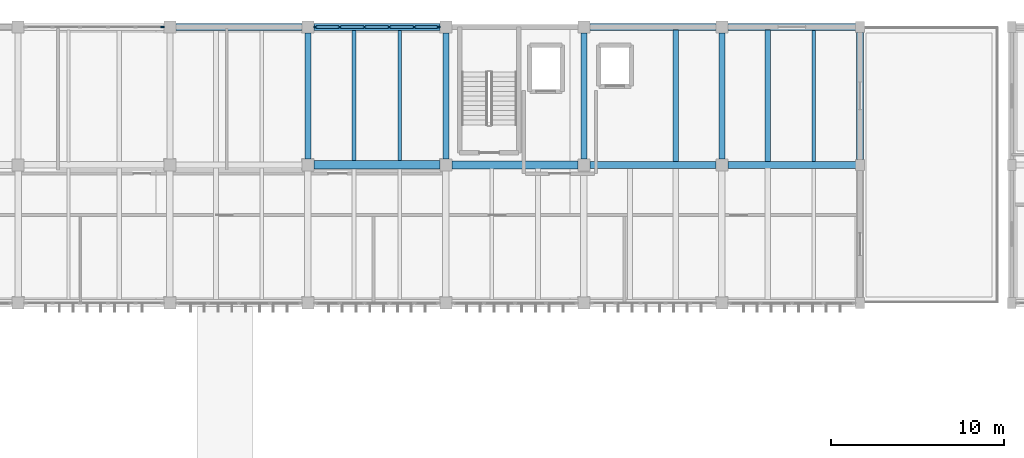
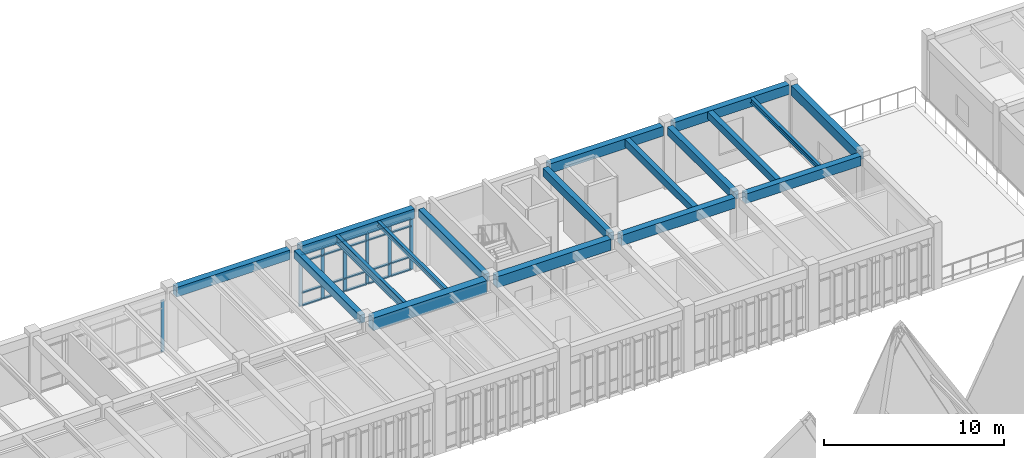
# One storey, part 25 of 72: 27 members, 18 beams, 2 elements without a shape of their own.
"""IFC4 building model written with IfcOpenShell, lengths in metres."""

from ifc_helpers import new_model, si_unit, direction, frame, origin, origin_2d, place, context, subcontext, project, spatial, rectangle, i_section, extrude, material, material_profile, profile_set, type_object, element, aggregate, save


model = new_model("IFC4")

# Units and contexts
model_context = context("Model", 3, precision=1e-05, world=origin(), true_north=direction((0.0, 1.0)))
body_context = subcontext(model_context, "Body", "Model", "MODEL_VIEW")
ifc_project = project(units=[si_unit("LENGTHUNIT", "METRE"), si_unit("AREAUNIT", "SQUARE_METRE"), si_unit("VOLUMEUNIT", "CUBIC_METRE"), si_unit("PLANEANGLEUNIT", "RADIAN"), si_unit("MASSUNIT", "GRAM", prefix="KILO")], contexts=[model_context])

# Site, building, storey
site_placement = place(None, origin())
site = spatial("IfcSite", under=ifc_project, at=site_placement, CompositionType="ELEMENT")
building_placement = place(site_placement, origin())
building = spatial("IfcBuilding", under=site, at=building_placement, Name="Tlaxcora Railside Police Headquarters", CompositionType="ELEMENT")
storey_placement = place(building_placement, frame((0.0, 0.0, 13.5)))
storey = spatial("IfcBuildingStorey", under=building, at=storey_placement, Name="L03", CompositionType="ELEMENT", Elevation=13.5)

# Curtain wall, members
ifc_material_1 = material(Name="Thermally broken low-E insulated glazing", Category="glass")
curtain_wall_type_1 = type_object("IfcCurtainWallType", Name="Unitised Curtain Wall Assembly CW-23", PredefinedType="NOTDEFINED", material=ifc_material_1)
curtain_wall_1_placement = place(storey_placement, origin())
curtain_wall_1 = element("IfcCurtainWall", 1, at=curtain_wall_1_placement, inside=storey, type_object=curtain_wall_type_1, Name="V5 L03 curtain wall 80", PredefinedType="NOTDEFINED")
ifc_material_2 = material(Name="Anodised aluminium framing", Category="aluminium")
ifc_material_profile_1 = material_profile(ifc_material_2, rectangle(XDim=0.080078125, YDim=0.219970703125, at=origin_2d()), Name="AL80X220")
ifc_profile_set_1 = profile_set([ifc_material_profile_1], Name="Anodised aluminium framing")
member_type_1 = type_object("IfcMemberType", Name="Curtain Wall Mullion CW-31", PredefinedType="MULLION", material=ifc_profile_set_1)
member_1_placement = place(storey_placement, frame((69.56005859375, 92.800048828125, 0.0), z_axis=(0.0, 0.0, 1.0), x_axis=(0.0, -1.0, 0.0)))
member_1 = element("IfcMember", 2, at=member_1_placement, type_object=member_type_1, Name="CW mullion 1", PredefinedType="MULLION", context=body_context, shape_type="SweptSolid", body=[
    extrude(rectangle(XDim=0.080078125, YDim=0.219970703125, at=origin_2d()), origin(), (0.0, 0.0, 1.0), 3.52001953125),
])
member_2_placement = place(storey_placement, frame((68.159912109375, 92.800048828125, 0.0), z_axis=(0.0, 0.0, 1.0), x_axis=(0.0, -1.0, 0.0)))
member_2 = element("IfcMember", 3, at=member_2_placement, type_object=member_type_1, Name="CW mullion 2", PredefinedType="MULLION", context=body_context, shape_type="SweptSolid", body=[
    extrude(rectangle(XDim=0.080078125, YDim=0.219970703125, at=origin_2d()), origin(), (0.0, 0.0, 1.0), 3.52001953125),
])
member_3_placement = place(storey_placement, frame((66.719970703125, 92.800048828125, 0.0), z_axis=(0.0, 0.0, 1.0), x_axis=(0.0, -1.0, 0.0)))
member_3 = element("IfcMember", 4, at=member_3_placement, type_object=member_type_1, Name="CW mullion 3", PredefinedType="MULLION", context=body_context, shape_type="SweptSolid", body=[
    extrude(rectangle(XDim=0.080078125, YDim=0.219970703125, at=origin_2d()), origin(), (0.0, 0.0, 1.0), 3.52001953125),
])
member_4_placement = place(storey_placement, frame((65.280029296875, 92.800048828125, 0.0), z_axis=(0.0, 0.0, 1.0), x_axis=(0.0, -1.0, 0.0)))
member_4 = element("IfcMember", 5, at=member_4_placement, type_object=member_type_1, Name="CW mullion 4", PredefinedType="MULLION", context=body_context, shape_type="SweptSolid", body=[
    extrude(rectangle(XDim=0.080078125, YDim=0.219970703125, at=origin_2d()), origin(), (0.0, 0.0, 1.0), 3.52001953125),
])
member_5_placement = place(storey_placement, frame((63.840087890625, 92.800048828125, 0.0), z_axis=(0.0, 0.0, 1.0), x_axis=(0.0, -1.0, 0.0)))
member_5 = element("IfcMember", 6, at=member_5_placement, type_object=member_type_1, Name="CW mullion 5", PredefinedType="MULLION", context=body_context, shape_type="SweptSolid", body=[
    extrude(rectangle(XDim=0.080078125, YDim=0.219970703125, at=origin_2d()), origin(), (0.0, 0.0, 1.0), 3.52001953125),
])
member_6_placement = place(storey_placement, frame((62.43994140625, 92.800048828125, 0.0), z_axis=(0.0, 0.0, 1.0), x_axis=(0.0, -1.0, 0.0)))
member_6 = element("IfcMember", 7, at=member_6_placement, type_object=member_type_1, Name="CW mullion 6", PredefinedType="MULLION", context=body_context, shape_type="SweptSolid", body=[
    extrude(rectangle(XDim=0.080078125, YDim=0.219970703125, at=origin_2d()), origin(), (0.0, 0.0, 1.0), 3.52001953125),
])

# Curtain wall, member
curtain_wall_type_2 = type_object("IfcCurtainWallType", Name="Unitised Curtain Wall Assembly CW-38", PredefinedType="NOTDEFINED", material=ifc_material_1)
curtain_wall_2_placement = place(storey_placement, origin())
curtain_wall_2 = element("IfcCurtainWall", 8, at=curtain_wall_2_placement, inside=storey, type_object=curtain_wall_type_2, Name="V5 L03 curtain wall 81", PredefinedType="NOTDEFINED")
ifc_material_profile_2 = material_profile(ifc_material_2, rectangle(XDim=0.074951171875, YDim=0.205078125, at=origin_2d()), Name="AL75X205")
ifc_profile_set_2 = profile_set([ifc_material_profile_2], Name="Anodised aluminium framing")
member_type_2 = type_object("IfcMemberType", Name="Curtain Wall Mullion CW-32", PredefinedType="MULLION", material=ifc_profile_set_2)
member_7_placement = place(storey_placement, frame((53.5625, 92.800048828125, 0.0), z_axis=(0.0, 0.0, 1.0), x_axis=(0.0, -1.0, 0.0)))
member_7 = element("IfcMember", 9, at=member_7_placement, type_object=member_type_2, Name="CW mullion 1", PredefinedType="MULLION", context=body_context, shape_type="SweptSolid", body=[
    extrude(rectangle(XDim=0.074951171875, YDim=0.205078125, at=origin_2d()), origin(), (0.0, 0.0, 1.0), 3.52001953125),
])
aggregate(curtain_wall_2, [member_7])

# Member
ifc_material_profile_3 = material_profile(ifc_material_2, rectangle(XDim=0.1650390625, YDim=0.080078125, at=origin_2d()), Name="AL80X165")
ifc_profile_set_3 = profile_set([ifc_material_profile_3], Name="Anodised aluminium framing")
member_type_3 = type_object("IfcMemberType", Name="Curtain Wall Transom CW-62", PredefinedType="USERDEFINED", material=ifc_profile_set_3)
member_8_placement = place(storey_placement, frame((69.52001953125, 92.800048828125, 0.0400390625), z_axis=(-1.0, 0.0, 0.0), x_axis=(0.0, -1.0, 0.0)))
member_8 = element("IfcMember", 10, at=member_8_placement, type_object=member_type_3, Name="CW transom 1.1", ObjectType="TRANSOM", PredefinedType="USERDEFINED", context=body_context, shape_type="SweptSolid", body=[
    extrude(rectangle(XDim=0.1650390625, YDim=0.080078125, at=origin_2d()), origin(), (0.0, 0.0, 1.0), 1.320068359375),
])

member_9_placement = place(storey_placement, frame((69.52001953125, 92.800048828125, 0.89990234375), z_axis=(-1.0, 0.0, 0.0), x_axis=(0.0, -1.0, 0.0)))
member_9 = element("IfcMember", 11, at=member_9_placement, type_object=member_type_3, Name="CW transom 1.2", ObjectType="TRANSOM", PredefinedType="USERDEFINED", context=body_context, shape_type="SweptSolid", body=[
    extrude(rectangle(XDim=0.1650390625, YDim=0.080078125, at=origin_2d()), origin(), (0.0, 0.0, 1.0), 1.320068359375),
])

member_10_placement = place(storey_placement, frame((69.52001953125, 92.800048828125, 2.989990234375), z_axis=(-1.0, 0.0, 0.0), x_axis=(0.0, -1.0, 0.0)))
member_10 = element("IfcMember", 12, at=member_10_placement, type_object=member_type_3, Name="CW transom 1.3", ObjectType="TRANSOM", PredefinedType="USERDEFINED", context=body_context, shape_type="SweptSolid", body=[
    extrude(rectangle(XDim=0.1650390625, YDim=0.080078125, at=origin_2d()), origin(), (0.0, 0.0, 1.0), 1.320068359375),
])

member_11_placement = place(storey_placement, frame((69.52001953125, 92.800048828125, 3.47998046875), z_axis=(-1.0, 0.0, 0.0), x_axis=(0.0, -1.0, 0.0)))
member_11 = element("IfcMember", 13, at=member_11_placement, type_object=member_type_3, Name="CW transom 1.4", ObjectType="TRANSOM", PredefinedType="USERDEFINED", context=body_context, shape_type="SweptSolid", body=[
    extrude(rectangle(XDim=0.1650390625, YDim=0.080078125, at=origin_2d()), origin(), (0.0, 0.0, 1.0), 1.320068359375),
])

member_12_placement = place(storey_placement, frame((68.1201171875, 92.800048828125, 0.0400390625), z_axis=(-1.0, 0.0, 0.0), x_axis=(0.0, -1.0, 0.0)))
member_12 = element("IfcMember", 14, at=member_12_placement, type_object=member_type_3, Name="CW transom 2.1", ObjectType="TRANSOM", PredefinedType="USERDEFINED", context=body_context, shape_type="SweptSolid", body=[
    extrude(rectangle(XDim=0.1650390625, YDim=0.080078125, at=origin_2d()), origin(), (0.0, 0.0, 1.0), 1.360107421875),
])

member_13_placement = place(storey_placement, frame((68.1201171875, 92.800048828125, 0.89990234375), z_axis=(-1.0, 0.0, 0.0), x_axis=(0.0, -1.0, 0.0)))
member_13 = element("IfcMember", 15, at=member_13_placement, type_object=member_type_3, Name="CW transom 2.2", ObjectType="TRANSOM", PredefinedType="USERDEFINED", context=body_context, shape_type="SweptSolid", body=[
    extrude(rectangle(XDim=0.1650390625, YDim=0.080078125, at=origin_2d()), origin(), (0.0, 0.0, 1.0), 1.360107421875),
])

member_14_placement = place(storey_placement, frame((68.1201171875, 92.800048828125, 2.989990234375), z_axis=(-1.0, 0.0, 0.0), x_axis=(0.0, -1.0, 0.0)))
member_14 = element("IfcMember", 16, at=member_14_placement, type_object=member_type_3, Name="CW transom 2.3", ObjectType="TRANSOM", PredefinedType="USERDEFINED", context=body_context, shape_type="SweptSolid", body=[
    extrude(rectangle(XDim=0.1650390625, YDim=0.080078125, at=origin_2d()), origin(), (0.0, 0.0, 1.0), 1.360107421875),
])

member_15_placement = place(storey_placement, frame((68.1201171875, 92.800048828125, 3.47998046875), z_axis=(-1.0, 0.0, 0.0), x_axis=(0.0, -1.0, 0.0)))
member_15 = element("IfcMember", 17, at=member_15_placement, type_object=member_type_3, Name="CW transom 2.4", ObjectType="TRANSOM", PredefinedType="USERDEFINED", context=body_context, shape_type="SweptSolid", body=[
    extrude(rectangle(XDim=0.1650390625, YDim=0.080078125, at=origin_2d()), origin(), (0.0, 0.0, 1.0), 1.360107421875),
])

member_16_placement = place(storey_placement, frame((66.679931640625, 92.800048828125, 0.0400390625), z_axis=(-1.0, 0.0, 0.0), x_axis=(0.0, -1.0, 0.0)))
member_16 = element("IfcMember", 18, at=member_16_placement, type_object=member_type_3, Name="CW transom 3.1", ObjectType="TRANSOM", PredefinedType="USERDEFINED", context=body_context, shape_type="SweptSolid", body=[
    extrude(rectangle(XDim=0.1650390625, YDim=0.080078125, at=origin_2d()), origin(), (0.0, 0.0, 1.0), 1.35986328125),
])

member_17_placement = place(storey_placement, frame((66.679931640625, 92.800048828125, 0.89990234375), z_axis=(-1.0, 0.0, 0.0), x_axis=(0.0, -1.0, 0.0)))
member_17 = element("IfcMember", 19, at=member_17_placement, type_object=member_type_3, Name="CW transom 3.2", ObjectType="TRANSOM", PredefinedType="USERDEFINED", context=body_context, shape_type="SweptSolid", body=[
    extrude(rectangle(XDim=0.1650390625, YDim=0.080078125, at=origin_2d()), origin(), (0.0, 0.0, 1.0), 1.35986328125),
])

member_18_placement = place(storey_placement, frame((66.679931640625, 92.800048828125, 2.989990234375), z_axis=(-1.0, 0.0, 0.0), x_axis=(0.0, -1.0, 0.0)))
member_18 = element("IfcMember", 20, at=member_18_placement, type_object=member_type_3, Name="CW transom 3.3", ObjectType="TRANSOM", PredefinedType="USERDEFINED", context=body_context, shape_type="SweptSolid", body=[
    extrude(rectangle(XDim=0.1650390625, YDim=0.080078125, at=origin_2d()), origin(), (0.0, 0.0, 1.0), 1.35986328125),
])

member_19_placement = place(storey_placement, frame((66.679931640625, 92.800048828125, 3.47998046875), z_axis=(-1.0, 0.0, 0.0), x_axis=(0.0, -1.0, 0.0)))
member_19 = element("IfcMember", 21, at=member_19_placement, type_object=member_type_3, Name="CW transom 3.4", ObjectType="TRANSOM", PredefinedType="USERDEFINED", context=body_context, shape_type="SweptSolid", body=[
    extrude(rectangle(XDim=0.1650390625, YDim=0.080078125, at=origin_2d()), origin(), (0.0, 0.0, 1.0), 1.35986328125),
])

member_20_placement = place(storey_placement, frame((65.239990234375, 92.800048828125, 0.0400390625), z_axis=(-1.0, 0.0, 0.0), x_axis=(0.0, -1.0, 0.0)))
member_20 = element("IfcMember", 22, at=member_20_placement, type_object=member_type_3, Name="CW transom 4.1", ObjectType="TRANSOM", PredefinedType="USERDEFINED", context=body_context, shape_type="SweptSolid", body=[
    extrude(rectangle(XDim=0.1650390625, YDim=0.080078125, at=origin_2d()), origin(), (0.0, 0.0, 1.0), 1.360107421875),
])

member_21_placement = place(storey_placement, frame((65.239990234375, 92.800048828125, 0.89990234375), z_axis=(-1.0, 0.0, 0.0), x_axis=(0.0, -1.0, 0.0)))
member_21 = element("IfcMember", 23, at=member_21_placement, type_object=member_type_3, Name="CW transom 4.2", ObjectType="TRANSOM", PredefinedType="USERDEFINED", context=body_context, shape_type="SweptSolid", body=[
    extrude(rectangle(XDim=0.1650390625, YDim=0.080078125, at=origin_2d()), origin(), (0.0, 0.0, 1.0), 1.360107421875),
])

member_22_placement = place(storey_placement, frame((65.239990234375, 92.800048828125, 2.989990234375), z_axis=(-1.0, 0.0, 0.0), x_axis=(0.0, -1.0, 0.0)))
member_22 = element("IfcMember", 24, at=member_22_placement, type_object=member_type_3, Name="CW transom 4.3", ObjectType="TRANSOM", PredefinedType="USERDEFINED", context=body_context, shape_type="SweptSolid", body=[
    extrude(rectangle(XDim=0.1650390625, YDim=0.080078125, at=origin_2d()), origin(), (0.0, 0.0, 1.0), 1.360107421875),
])

member_23_placement = place(storey_placement, frame((65.239990234375, 92.800048828125, 3.47998046875), z_axis=(-1.0, 0.0, 0.0), x_axis=(0.0, -1.0, 0.0)))
member_23 = element("IfcMember", 25, at=member_23_placement, type_object=member_type_3, Name="CW transom 4.4", ObjectType="TRANSOM", PredefinedType="USERDEFINED", context=body_context, shape_type="SweptSolid", body=[
    extrude(rectangle(XDim=0.1650390625, YDim=0.080078125, at=origin_2d()), origin(), (0.0, 0.0, 1.0), 1.360107421875),
])

member_24_placement = place(storey_placement, frame((63.800048828125, 92.800048828125, 0.0400390625), z_axis=(-1.0, 0.0, 0.0), x_axis=(0.0, -1.0, 0.0)))
member_24 = element("IfcMember", 26, at=member_24_placement, type_object=member_type_3, Name="CW transom 5.1", ObjectType="TRANSOM", PredefinedType="USERDEFINED", context=body_context, shape_type="SweptSolid", body=[
    extrude(rectangle(XDim=0.1650390625, YDim=0.080078125, at=origin_2d()), origin(), (0.0, 0.0, 1.0), 1.320068359375),
])

member_25_placement = place(storey_placement, frame((63.800048828125, 92.800048828125, 0.89990234375), z_axis=(-1.0, 0.0, 0.0), x_axis=(0.0, -1.0, 0.0)))
member_25 = element("IfcMember", 27, at=member_25_placement, type_object=member_type_3, Name="CW transom 5.2", ObjectType="TRANSOM", PredefinedType="USERDEFINED", context=body_context, shape_type="SweptSolid", body=[
    extrude(rectangle(XDim=0.1650390625, YDim=0.080078125, at=origin_2d()), origin(), (0.0, 0.0, 1.0), 1.320068359375),
])

member_26_placement = place(storey_placement, frame((63.800048828125, 92.800048828125, 2.989990234375), z_axis=(-1.0, 0.0, 0.0), x_axis=(0.0, -1.0, 0.0)))
member_26 = element("IfcMember", 28, at=member_26_placement, type_object=member_type_3, Name="CW transom 5.3", ObjectType="TRANSOM", PredefinedType="USERDEFINED", context=body_context, shape_type="SweptSolid", body=[
    extrude(rectangle(XDim=0.1650390625, YDim=0.080078125, at=origin_2d()), origin(), (0.0, 0.0, 1.0), 1.320068359375),
])

member_27_placement = place(storey_placement, frame((63.800048828125, 92.800048828125, 3.47998046875), z_axis=(-1.0, 0.0, 0.0), x_axis=(0.0, -1.0, 0.0)))
member_27 = element("IfcMember", 29, at=member_27_placement, type_object=member_type_3, Name="CW transom 5.4", ObjectType="TRANSOM", PredefinedType="USERDEFINED", context=body_context, shape_type="SweptSolid", body=[
    extrude(rectangle(XDim=0.1650390625, YDim=0.080078125, at=origin_2d()), origin(), (0.0, 0.0, 1.0), 1.320068359375),
])

aggregate(curtain_wall_1, [member_1, member_2, member_3, member_4, member_5, member_6, member_8, member_9, member_10, member_11, member_12, member_13, member_14, member_15, member_16, member_17, member_18, member_19, member_20, member_21, member_22, member_23, member_24, member_25, member_26, member_27])

# Beams
ifc_material_3 = material(Name="Concrete C40/50", Category="concrete")
ifc_material_profile_4 = material_profile(ifc_material_3, rectangle(XDim=0.39990234375, YDim=0.64990234375, at=origin_2d()), Name="RC400X650")
ifc_profile_set_4 = profile_set([ifc_material_profile_4], Name="Concrete C40/50")
beam_type_1 = type_object("IfcBeamType", Name="Perimeter Spandrel Beam BM-46", PredefinedType="SPANDREL", material=ifc_profile_set_4)
for number, where, z_axis, x_axis, name in (
    (30, (54.340087890625, 92.800048828125, 3.864990234375), (1.0, 0.0, 0.0), (0.0, 1.0, 0.0), "V5 L03 X-girder Y=92.8"),
    (31, (62.340087890625, 92.800048828125, 3.864990234375), (1.0, 0.0, 0.0), (0.0, 1.0, 0.0), "V5 L03 X-girder Y=92.8"),
    (32, (78.340087890625, 92.800048828125, 3.864990234375), (1.0, 0.0, 0.0), (0.0, 1.0, 0.0), "V5 L03 X-girder Y=92.8"),
):
    element("IfcBeam", number, at=place(storey_placement, frame(where, z_axis=z_axis, x_axis=x_axis)), inside=storey, type_object=beam_type_1, Name=name, PredefinedType="SPANDREL", context=body_context, shape_type="SweptSolid", body=[
        extrude(rectangle(XDim=0.39990234375, YDim=0.64990234375, at=origin_2d()), origin(), (0.0, 0.0, 1.0), 7.31982421875),
    ])
beam_1_placement = place(storey_placement, frame((86.340087890625, 92.800048828125, 3.864990234375), z_axis=(1.0, 0.0, 0.0), x_axis=(0.0, 1.0, 0.0)))
element("IfcBeam", 33, at=beam_1_placement, inside=storey, type_object=beam_type_1, Name="V5 L03 X-girder Y=92.8", PredefinedType="SPANDREL", context=body_context, shape_type="SweptSolid", body=[
    extrude(rectangle(XDim=0.39990234375, YDim=0.64990234375, at=origin_2d()), origin(), (0.0, 0.0, 1.0), 7.419921875),
])
beam_2_placement = place(storey_placement, frame((94.0, 85.114990234375, 3.864990234375), z_axis=(0.0, 1.0, 0.0), x_axis=(-1.0, 0.0, 0.0)))
element("IfcBeam", 34, at=beam_2_placement, inside=storey, type_object=beam_type_1, Name="V5 L03 Y-girder X=94.0", PredefinedType="SPANDREL", context=body_context, shape_type="SweptSolid", body=[
    extrude(rectangle(XDim=0.39990234375, YDim=0.64990234375, at=origin_2d()), origin(), (0.0, 0.0, 1.0), 7.3701171875),
])
ifc_material_profile_5 = material_profile(ifc_material_3, rectangle(XDim=0.419921875, YDim=0.699951171875, at=origin_2d()), Name="RC420X700")
ifc_profile_set_5 = profile_set([ifc_material_profile_5], Name="Concrete C40/50")
beam_type_2 = type_object("IfcBeamType", Name="Primary Frame Girder BM-35", PredefinedType="BEAM", material=ifc_profile_set_5)
beam_3_placement = place(storey_placement, frame((78.340087890625, 84.800048828125, 3.840087890625), z_axis=(1.0, 0.0, 0.0), x_axis=(0.0, 1.0, 0.0)))
element("IfcBeam", 35, at=beam_3_placement, inside=storey, type_object=beam_type_2, Name="V5 L03 X-girder Y=84.8", PredefinedType="BEAM", context=body_context, shape_type="SweptSolid", body=[
    extrude(rectangle(XDim=0.419921875, YDim=0.699951171875, at=origin_2d()), origin(), (0.0, 0.0, 1.0), 7.31982421875),
])
ifc_material_profile_6 = material_profile(ifc_material_3, rectangle(XDim=0.35009765625, YDim=0.550048828125, at=origin_2d()), Name="RC350X550")
ifc_profile_set_6 = profile_set([ifc_material_profile_6], Name="Concrete C40/50")
beam_type_3 = type_object("IfcBeamType", Name="Primary Frame Girder BM-39", PredefinedType="BEAM", material=ifc_profile_set_6)
for number, where, z_axis, x_axis, name in (
    (36, (62.0, 85.139892578125, 3.9150390625), (0.0, 1.0, 0.0), (-1.0, 0.0, 0.0), "V5 L03 Y-girder X=62.0"),
    (37, (70.0, 85.139892578125, 3.9150390625), (0.0, 1.0, 0.0), (-1.0, 0.0, 0.0), "V5 L03 Y-girder X=70.0"),
    (38, (78.0, 85.139892578125, 3.9150390625), (0.0, 1.0, 0.0), (-1.0, 0.0, 0.0), "V5 L03 Y-girder X=78.0"),
    (39, (86.0, 85.139892578125, 3.9150390625), (0.0, 1.0, 0.0), (-1.0, 0.0, 0.0), "V5 L03 Y-girder X=86.0"),
):
    element("IfcBeam", number, at=place(storey_placement, frame(where, z_axis=z_axis, x_axis=x_axis)), inside=storey, type_object=beam_type_3, Name=name, PredefinedType="BEAM", context=body_context, shape_type="SweptSolid", body=[
        extrude(rectangle(XDim=0.35009765625, YDim=0.550048828125, at=origin_2d()), origin(), (0.0, 0.0, 1.0), 7.320068359375),
    ])
ifc_material_profile_7 = material_profile(ifc_material_3, rectangle(XDim=0.39990234375, YDim=0.64990234375, at=origin_2d()), Name="RC400X650")
ifc_profile_set_7 = profile_set([ifc_material_profile_7], Name="Concrete C40/50")
beam_type_4 = type_object("IfcBeamType", Name="Primary Frame Girder BM-41", PredefinedType="BEAM", material=ifc_profile_set_7)
beam_4_placement = place(storey_placement, frame((86.340087890625, 84.800048828125, 3.864990234375), z_axis=(1.0, 0.0, 0.0), x_axis=(0.0, 1.0, 0.0)))
element("IfcBeam", 40, at=beam_4_placement, inside=storey, type_object=beam_type_4, Name="V5 L03 X-girder Y=84.8", PredefinedType="BEAM", context=body_context, shape_type="SweptSolid", body=[
    extrude(rectangle(XDim=0.39990234375, YDim=0.64990234375, at=origin_2d()), origin(), (0.0, 0.0, 1.0), 7.419921875),
])
ifc_material_profile_8 = material_profile(ifc_material_3, rectangle(XDim=0.5, YDim=0.85009765625, at=origin_2d()), Name="RC500X850")
ifc_profile_set_8 = profile_set([ifc_material_profile_8], Name="Concrete C40/50")
beam_type_5 = type_object("IfcBeamType", Name="Primary Frame Girder BM-64", PredefinedType="BEAM", material=ifc_profile_set_8)
beam_5_placement = place(storey_placement, frame((62.340087890625, 84.800048828125, 3.764892578125), z_axis=(1.0, 0.0, 0.0), x_axis=(0.0, 1.0, 0.0)))
element("IfcBeam", 41, at=beam_5_placement, inside=storey, type_object=beam_type_5, Name="V5 L03 X-girder Y=84.8", PredefinedType="BEAM", context=body_context, shape_type="SweptSolid", body=[
    extrude(rectangle(XDim=0.5, YDim=0.85009765625, at=origin_2d()), origin(), (0.0, 0.0, 1.0), 7.31982421875),
])
ifc_material_profile_9 = material_profile(ifc_material_3, rectangle(XDim=0.449951171875, YDim=0.75, at=origin_2d()), Name="RC450X750")
ifc_profile_set_9 = profile_set([ifc_material_profile_9], Name="Concrete C40/50")
beam_type_6 = type_object("IfcBeamType", Name="Primary Frame Girder BM-73", PredefinedType="BEAM", material=ifc_profile_set_9)
beam_6_placement = place(storey_placement, frame((70.340087890625, 84.800048828125, 3.81494140625), z_axis=(1.0, 0.0, 0.0), x_axis=(0.0, 1.0, 0.0)))
element("IfcBeam", 42, at=beam_6_placement, inside=storey, type_object=beam_type_6, Name="V5 L03 X-girder Y=84.8", PredefinedType="BEAM", context=body_context, shape_type="SweptSolid", body=[
    extrude(rectangle(XDim=0.449951171875, YDim=0.75, at=origin_2d()), origin(), (0.0, 0.0, 1.0), 7.31982421875),
])
ifc_material_4 = material(Name="Steel ASTM A992 Grade 50", Category="steel")
ifc_material_profile_10 = material_profile(ifc_material_4, i_section(OverallWidth=0.2041015625, OverallDepth=0.35009765625, WebThickness=0.008544921875, FlangeThickness=0.01513671875, at=origin_2d()), Name="W14X48")
ifc_profile_set_10 = profile_set([ifc_material_profile_10], Name="Steel ASTM A992 Grade 50")
beam_type_7 = type_object("IfcBeamType", Name="Secondary Floor Joist BM-65", PredefinedType="JOIST", material=ifc_profile_set_10)
beam_7_placement = place(storey_placement, frame((91.333251953125, 84.991943359375, 4.014892578125), z_axis=(0.0, 1.0, 0.0), x_axis=(-1.0, 0.0, 0.0)))
element("IfcBeam", 43, at=beam_7_placement, inside=storey, type_object=beam_type_7, Name="V5 L03 floor joist X=91.33", PredefinedType="JOIST", context=body_context, shape_type="SweptSolid", body=[
    extrude(i_section(OverallWidth=0.2041015625, OverallDepth=0.35009765625, WebThickness=0.008544921875, FlangeThickness=0.01513671875, at=origin_2d()), origin(), (0.0, 0.0, 1.0), 7.615966796875),
])
ifc_material_5 = material(Name="Concrete C35/45", Category="concrete")
ifc_material_profile_11 = material_profile(ifc_material_5, rectangle(XDim=0.320068359375, YDim=0.5, at=origin_2d()), Name="RC320X500")
ifc_profile_set_11 = profile_set([ifc_material_profile_11], Name="Concrete C35/45")
beam_type_8 = type_object("IfcBeamType", Name="Secondary Floor Joist BM-88", PredefinedType="JOIST", material=ifc_profile_set_11)
beam_8_placement = place(storey_placement, frame((83.333251953125, 85.001953125, 3.93994140625), z_axis=(0.0, 1.0, 0.0), x_axis=(-1.0, 0.0, 0.0)))
element("IfcBeam", 44, at=beam_8_placement, inside=storey, type_object=beam_type_8, Name="V5 L03 floor joist X=83.33", PredefinedType="JOIST", context=body_context, shape_type="SweptSolid", body=[
    extrude(rectangle(XDim=0.320068359375, YDim=0.5, at=origin_2d()), origin(), (0.0, 0.0, 1.0), 7.60595703125),
])
beam_9_placement = place(storey_placement, frame((88.666748046875, 84.991943359375, 3.93994140625), z_axis=(0.0, 1.0, 0.0), x_axis=(-1.0, 0.0, 0.0)))
element("IfcBeam", 45, at=beam_9_placement, inside=storey, type_object=beam_type_8, Name="V5 L03 floor joist X=88.67", PredefinedType="JOIST", context=body_context, shape_type="SweptSolid", body=[
    extrude(rectangle(XDim=0.320068359375, YDim=0.5, at=origin_2d()), origin(), (0.0, 0.0, 1.0), 7.615966796875),
])
ifc_material_profile_12 = material_profile(ifc_material_4, i_section(OverallWidth=0.202880859375, OverallDepth=0.302978515625, WebThickness=0.007568359375, FlangeThickness=0.01318359375, at=origin_2d()), Name="W12X40")
ifc_profile_set_12 = profile_set([ifc_material_profile_12], Name="Steel ASTM A992 Grade 50")
beam_type_9 = type_object("IfcBeamType", Name="Secondary Floor Joist BM-96", PredefinedType="JOIST", material=ifc_profile_set_12)
beam_10_placement = place(storey_placement, frame((67.333251953125, 85.0419921875, 4.03857421875), z_axis=(0.0, 1.0, 0.0), x_axis=(-1.0, 0.0, 0.0)))
element("IfcBeam", 46, at=beam_10_placement, inside=storey, type_object=beam_type_9, Name="V5 L03 floor joist X=67.33", PredefinedType="JOIST", context=body_context, shape_type="SweptSolid", body=[
    extrude(i_section(OverallWidth=0.202880859375, OverallDepth=0.302978515625, WebThickness=0.007568359375, FlangeThickness=0.01318359375, at=origin_2d()), origin(), (0.0, 0.0, 1.0), 7.56591796875),
])
ifc_material_profile_13 = material_profile(ifc_material_4, i_section(OverallWidth=0.214111328125, OverallDepth=0.549072265625, WebThickness=0.0146484375, FlangeThickness=0.023681640625, at=origin_2d()), Name="W21X93")
ifc_profile_set_13 = profile_set([ifc_material_profile_13], Name="Steel ASTM A992 Grade 50")
beam_type_10 = type_object("IfcBeamType", Name="Secondary Floor Joist BM-97", PredefinedType="JOIST", material=ifc_profile_set_13)
beam_11_placement = place(storey_placement, frame((64.666748046875, 85.0419921875, 3.91552734375), z_axis=(0.0, 1.0, 0.0), x_axis=(-1.0, 0.0, 0.0)))
element("IfcBeam", 47, at=beam_11_placement, inside=storey, type_object=beam_type_10, Name="V5 L03 floor joist X=64.67", PredefinedType="JOIST", context=body_context, shape_type="SweptSolid", body=[
    extrude(i_section(OverallWidth=0.214111328125, OverallDepth=0.549072265625, WebThickness=0.0146484375, FlangeThickness=0.023681640625, at=origin_2d()), origin(), (0.0, 0.0, 1.0), 7.56591796875),
])

save(model, "model.ifc")
